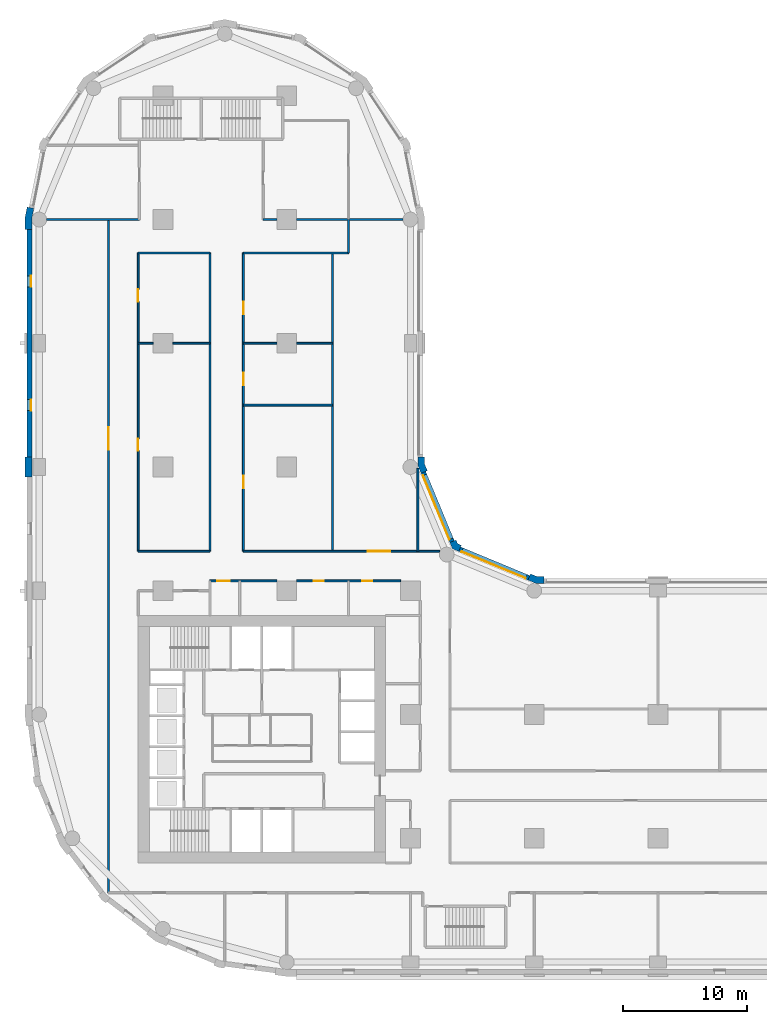
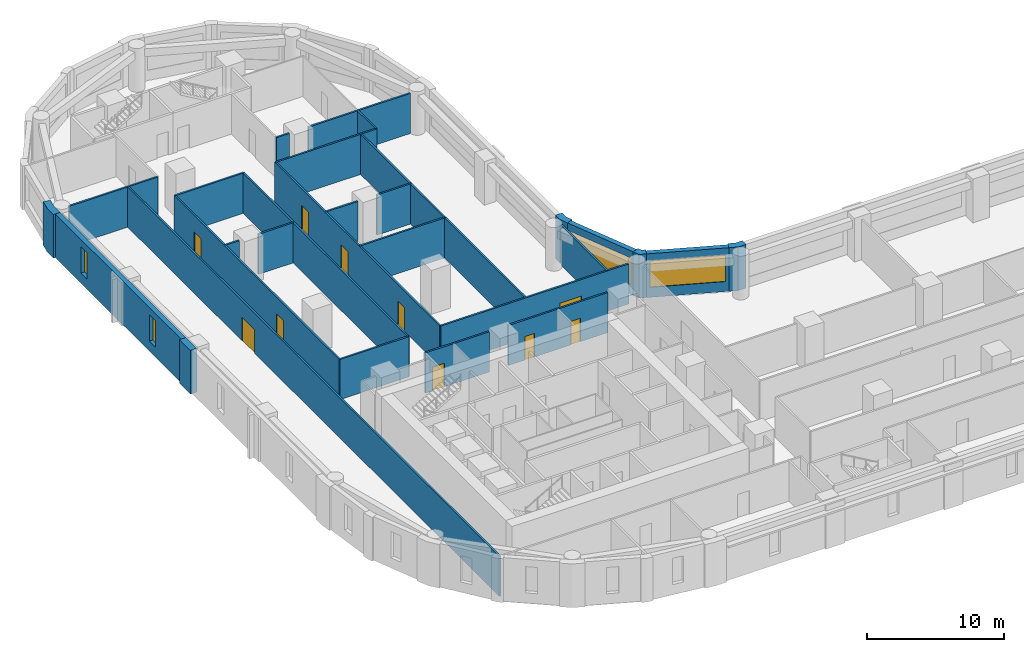
# One storey, part 5 of 10: 29 walls, 10 doors, 4 windows, 14 openings.
"""IFC4 building model written with IfcOpenShell, lengths in metres."""

from ifc_helpers import new_model, si_unit, direction, frame, frame_2d, origin, place, context, subcontext, project, spatial, polyline, rectangle, outline, extrude, material, layer, layer_set, type_object, element, fill, save


model = new_model("IFC4")

# Units and contexts
model_context = context("Model", 3, precision=1e-05, world=origin(), true_north=direction((0.0, 1.0)))
body_context = subcontext(model_context, "Body", "Model", "MODEL_VIEW")
ifc_project = project(units=[si_unit("LENGTHUNIT", "METRE"), si_unit("AREAUNIT", "SQUARE_METRE"), si_unit("VOLUMEUNIT", "CUBIC_METRE"), si_unit("PLANEANGLEUNIT", "RADIAN"), si_unit("MASSUNIT", "GRAM", prefix="KILO")], contexts=[model_context])

# Site, building, storey
site_placement = place(None, origin())
site = spatial("IfcSite", under=ifc_project, at=site_placement, CompositionType="ELEMENT")
building_placement = place(site_placement, origin())
building = spatial("IfcBuilding", under=site, at=building_placement, Name="Qaws Garden Tower", CompositionType="ELEMENT")
storey_placement = place(building_placement, frame((0.0, 0.0, 109.5)))
storey = spatial("IfcBuildingStorey", under=building, at=storey_placement, Name="L27", CompositionType="ELEMENT", Elevation=109.5)

# Wall, opening, window
ifc_material_1 = material(Name="Clay facing brick masonry", Category="masonry")
ifc_layer_1 = layer(ifc_material_1, 0.39990234375)
ifc_layer_set_1 = layer_set([ifc_layer_1], Name="Clay facing brick masonry")
wall_type_1 = type_object("IfcWallType", Name="Brick infill wall 400", PredefinedType="SOLIDWALL", material=ifc_layer_set_1)
wall_1_placement = place(storey_placement, frame((39.56689453125, 31.04541015625, 0.0), z_axis=(0.0, 0.0, 1.0), x_axis=(-0.923891000409, 0.382655745237, 0.0)))
wall_1 = element("IfcWall", 1, at=wall_1_placement, inside=storey, type_object=wall_type_1, Name="E-L27-infill-11", PredefinedType="SOLIDWALL", context=body_context, shape_type="SweptSolid", body=[
    extrude(rectangle(XDim=6.053466796875, YDim=0.39990234375, at=frame_2d((3.02685546875, 0.0))), origin(), (0.0, 0.0, 1.0), 3.89990234375),
])
opening_1_placement = place(wall_1_placement, frame((0.226806640625, 0.0, 0.89990234375)))
opening_1 = element("IfcOpeningElement", 2, at=opening_1_placement, cuts=wall_1, Name="Opening W04", PredefinedType="OPENING", context=body_context, shape_type="SweptSolid", body=[
    extrude(rectangle(XDim=5.60009765625, YDim=2.35009765625, at=frame_2d((2.800048828125, 1.175048828125))), frame((0.0, 0.2099609375, 0.0), z_axis=(0.0, -1.0, 0.0), x_axis=(1.0, 0.0, 0.0)), (0.0, 0.0, 1.0), 0.419921875),
])
ifc_material_2 = material(Name="Aluminium framed window, clear glazing", Category="aluminium")
window_type_1 = type_object("IfcWindowType", Name="Ribbon window 5600 x 2350", PartitioningType="DOUBLE_PANEL_VERTICAL", PredefinedType="WINDOW", material=ifc_material_2)
window_1_placement = place(opening_1_placement, origin())
window_1 = element("IfcWindow", 3, at=window_1_placement, inside=storey, type_object=window_type_1, Name="E-L27-window-11-0", OverallHeight=2.35009765625, OverallWidth=5.60009765625, PartitioningType="SINGLE_PANEL", PredefinedType="WINDOW", context=body_context, shape_type="SweptSolid", body=[
    extrude(rectangle(XDim=5.60009765625, YDim=2.35009765625, at=frame_2d((2.800048828125, 1.175048828125))), frame((0.0, 0.159912109375, 0.0), z_axis=(0.0, -1.0, 0.0), x_axis=(1.0, 0.0, 0.0)), (0.0, 0.0, 1.0), 0.06005859375),
])
fill(opening_1, window_1)

wall_2_placement = place(storey_placement, frame((33.36181640625, 33.97412109375, 0.0), z_axis=(0.0, 0.0, 1.0), x_axis=(-0.382655745237, 0.923891000409, 0.0)))
wall_2 = element("IfcWall", 4, at=wall_2_placement, inside=storey, type_object=wall_type_1, Name="E-L27-infill-12", PredefinedType="SOLIDWALL", context=body_context, shape_type="SweptSolid", body=[
    extrude(rectangle(XDim=6.053466796875, YDim=0.39990234375, at=frame_2d((3.02685546875, 0.0))), origin(), (0.0, 0.0, 1.0), 3.89990234375),
])
opening_2_placement = place(wall_2_placement, frame((0.226806640625, 0.0, 0.89990234375)))
opening_2 = element("IfcOpeningElement", 5, at=opening_2_placement, cuts=wall_2, Name="Opening W04", PredefinedType="OPENING", context=body_context, shape_type="SweptSolid", body=[
    extrude(rectangle(XDim=5.60009765625, YDim=2.35009765625, at=frame_2d((2.800048828125, 1.175048828125))), frame((0.0, 0.2099609375, 0.0), z_axis=(0.0, -1.0, 0.0), x_axis=(1.0, 0.0, 0.0)), (0.0, 0.0, 1.0), 0.419921875),
])
window_2_placement = place(opening_2_placement, origin())
window_2 = element("IfcWindow", 6, at=window_2_placement, inside=storey, type_object=window_type_1, Name="E-L27-window-12-0", OverallHeight=2.35009765625, OverallWidth=5.60009765625, PartitioningType="SINGLE_PANEL", PredefinedType="WINDOW", context=body_context, shape_type="SweptSolid", body=[
    extrude(rectangle(XDim=5.60009765625, YDim=2.35009765625, at=frame_2d((2.800048828125, 1.175048828125))), frame((0.0, 0.159912109375, 0.0), z_axis=(0.0, -1.0, 0.0), x_axis=(1.0, 0.0, 0.0)), (0.0, 0.0, 1.0), 0.06005859375),
])
fill(opening_2, window_2)

# Wall, openings, windows
wall_3_placement = place(storey_placement, frame((-0.800048828125, 59.199951171875, 0.0), z_axis=(0.0, 0.0, 1.0), x_axis=(0.0, -1.0, 0.0)))
wall_3 = element("IfcWall", 7, at=wall_3_placement, inside=storey, type_object=wall_type_1, Name="E-L27-infill-23", PredefinedType="SOLIDWALL", context=body_context, shape_type="SweptSolid", body=[
    extrude(rectangle(XDim=18.39990234375, YDim=0.39990234375, at=frame_2d((9.199951171875, 0.0))), origin(), (0.0, 0.0, 1.0), 3.89990234375),
])
opening_3_placement = place(wall_3_placement, frame((3.75, 0.0, 0.89990234375)))
opening_3 = element("IfcOpeningElement", 8, at=opening_3_placement, cuts=wall_3, Name="Opening W09", PredefinedType="OPENING", context=body_context, shape_type="SweptSolid", body=[
    extrude(rectangle(XDim=0.89990234375, YDim=2.35009765625, at=frame_2d((0.449951171875, 1.175048828125))), frame((0.0, 0.2099609375, 0.0), z_axis=(0.0, -1.0, 0.0), x_axis=(1.0, 0.0, 0.0)), (0.0, 0.0, 1.0), 0.419921875),
])
opening_4_placement = place(wall_3_placement, frame((13.75, 0.0, 0.89990234375)))
opening_4 = element("IfcOpeningElement", 9, at=opening_4_placement, cuts=wall_3, Name="Opening W09", PredefinedType="OPENING", context=body_context, shape_type="SweptSolid", body=[
    extrude(rectangle(XDim=0.89990234375, YDim=2.35009765625, at=frame_2d((0.449951171875, 1.175048828125))), frame((0.0, 0.2099609375, 0.0), z_axis=(0.0, -1.0, 0.0), x_axis=(1.0, 0.0, 0.0)), (0.0, 0.0, 1.0), 0.419921875),
])
ifc_material_3 = material(Name="Aluminium framed window, clear glazing", Category="aluminium")
window_type_2 = type_object("IfcWindowType", Name="Slit window 900 x 2350", PartitioningType="SINGLE_PANEL", PredefinedType="WINDOW", material=ifc_material_3)
window_3_placement = place(opening_3_placement, origin())
window_3 = element("IfcWindow", 10, at=window_3_placement, inside=storey, type_object=window_type_2, Name="E-L27-window-23-0", OverallHeight=2.35009765625, OverallWidth=0.89990234375, PartitioningType="SINGLE_PANEL", PredefinedType="WINDOW", context=body_context, shape_type="SweptSolid", body=[
    extrude(rectangle(XDim=0.89990234375, YDim=2.35009765625, at=frame_2d((0.449951171875, 1.175048828125))), frame((0.0, 0.159912109375, 0.0), z_axis=(0.0, -1.0, 0.0), x_axis=(1.0, 0.0, 0.0)), (0.0, 0.0, 1.0), 0.06005859375),
])
fill(opening_3, window_3)
window_4_placement = place(opening_4_placement, origin())
window_4 = element("IfcWindow", 11, at=window_4_placement, inside=storey, type_object=window_type_2, Name="E-L27-window-24-0", OverallHeight=2.35009765625, OverallWidth=0.89990234375, PartitioningType="SINGLE_PANEL", PredefinedType="WINDOW", context=body_context, shape_type="SweptSolid", body=[
    extrude(rectangle(XDim=0.89990234375, YDim=2.35009765625, at=frame_2d((0.449951171875, 1.175048828125))), frame((0.0, 0.159912109375, 0.0), z_axis=(0.0, -1.0, 0.0), x_axis=(1.0, 0.0, 0.0)), (0.0, 0.0, 1.0), 0.06005859375),
])
fill(opening_4, window_4)

# Walls
ifc_material_4 = material(Name="Clay facing brick masonry", Category="masonry")
ifc_layer_2 = layer(ifc_material_4, 0.550048828125)
ifc_layer_set_2 = layer_set([ifc_layer_2], Name="Clay facing brick masonry")
wall_type_2 = type_object("IfcWallType", Name="Brick pier 550 x 1600", PredefinedType="SOLIDWALL", material=ifc_layer_set_2)
placement = place(storey_placement, origin())
element("IfcWall", 12, at=placement, inside=storey, type_object=wall_type_2, Name="E-L27-pier-11", PredefinedType="SOLIDWALL", context=body_context, shape_type="SweptSolid", body=[
    extrude(outline(polyline([(40.800048828125, 31.0), (40.800048828125, 31.14990234375), (40.228759765625, 31.14990234375), (39.700927734375, 31.36865234375), (39.6435546875, 31.22998046875), (39.490478515625, 30.860595703125), (40.119384765625, 30.60009765625), (40.800048828125, 30.60009765625), (40.800048828125, 31.0)])), origin(), (0.0, 0.0, 1.0), 3.89990234375),
])
element("IfcWall", 13, at=placement, inside=storey, type_object=wall_type_2, Name="E-L27-pier-12", PredefinedType="SOLIDWALL", context=body_context, shape_type="SweptSolid", body=[
    extrude(outline(polyline([(34.05078125, 33.546630859375), (34.108154296875, 33.685302734375), (33.80908203125, 33.80908203125), (33.685302734375, 34.108154296875), (33.546630859375, 34.05078125), (33.177001953125, 33.897705078125), (33.38818359375, 33.38818359375), (33.897705078125, 33.177001953125), (34.05078125, 33.546630859375)])), origin(), (0.0, 0.0, 1.0), 3.89990234375),
])
element("IfcWall", 14, at=placement, inside=storey, type_object=wall_type_2, Name="E-L27-pier-13", PredefinedType="SOLIDWALL", context=body_context, shape_type="SweptSolid", body=[
    extrude(outline(polyline([(31.22998046875, 39.6435546875), (31.36865234375, 39.700927734375), (31.14990234375, 40.228759765625), (31.14990234375, 40.800048828125), (31.0, 40.800048828125), (30.60009765625, 40.800048828125), (30.60009765625, 40.119384765625), (30.860595703125, 39.490478515625), (31.22998046875, 39.6435546875)])), origin(), (0.0, 0.0, 1.0), 3.89990234375),
])
element("IfcWall", 15, at=placement, inside=storey, type_object=wall_type_2, Name="E-L27-pier-23", PredefinedType="SOLIDWALL", context=body_context, shape_type="SweptSolid", body=[
    extrude(outline(polyline([(-0.82470703125, 60.979736328125), (-0.971923828125, 61.009033203125), (-1.14990234375, 60.11328125), (-1.14990234375, 59.199951171875), (-1.0, 59.199951171875), (-0.60009765625, 59.199951171875), (-0.60009765625, 60.05908203125), (-0.432373046875, 60.901611328125), (-0.82470703125, 60.979736328125)])), origin(), (0.0, 0.0, 1.0), 3.89990234375),
])
element("IfcWall", 16, at=placement, inside=storey, type_object=wall_type_2, Name="E-L27-pier-25", PredefinedType="SOLIDWALL", context=body_context, shape_type="SweptSolid", body=[
    extrude(outline(polyline([(-1.0, 40.800048828125), (-1.14990234375, 40.800048828125), (-1.14990234375, 40.0), (-1.14990234375, 39.199951171875), (-1.0, 39.199951171875), (-0.60009765625, 39.199951171875), (-0.60009765625, 40.0), (-0.60009765625, 40.800048828125), (-1.0, 40.800048828125)])), origin(), (0.0, 0.0, 1.0), 3.89990234375),
])

# Wall, opening, door
ifc_material_5 = material(Name="Gypsum board partition")
ifc_layer_3 = layer(ifc_material_5, 0.14990234375)
ifc_layer_set_3 = layer_set([ifc_layer_3], Name="Gypsum board partition")
wall_type_3 = type_object("IfcWallType", Name="PARTITION 150 EI 60", PredefinedType="PARTITIONING", material=ifc_layer_set_3)
wall_9_placement = place(storey_placement, frame((5.60009765625, 5.60009765625, 0.0), z_axis=(0.0, 0.0, 1.0), x_axis=(0.0, 1.0, 0.0)))
wall_9 = element("IfcWall", 17, at=wall_9_placement, inside=storey, type_object=wall_type_3, Name="O-L27-wall-005", PredefinedType="PARTITIONING", context=body_context, shape_type="SweptSolid", body=[
    extrude(rectangle(XDim=54.39990234375, YDim=0.14990234375, at=frame_2d((27.199951171875, 0.0))), origin(), (0.0, 0.0, 1.0), 3.580078125),
])
opening_5_placement = place(wall_9_placement, frame((35.800048828125, 0.0, 0.0)))
opening_5 = element("IfcOpeningElement", 18, at=opening_5_placement, cuts=wall_9, Name="Opening A901", PredefinedType="OPENING", context=body_context, shape_type="SweptSolid", body=[
    extrude(rectangle(XDim=1.800048828125, YDim=2.10009765625, at=frame_2d((0.89990234375, 1.050048828125))), frame((0.0, 0.0849609375, 0.0), z_axis=(0.0, -1.0, 0.0), x_axis=(1.0, 0.0, 0.0)), (0.0, 0.0, 1.0), 0.169921875),
])
ifc_material_6 = material(Name="Timber door leaf", Category="wood")
door_type_1 = type_object("IfcDoorType", Name="DOUBLE DOOR 1800 X 2100", OperationType="DOUBLE_DOOR_SINGLE_SWING", PredefinedType="DOOR", material=ifc_material_6)
door_1_placement = place(opening_5_placement, origin())
door_1 = element("IfcDoor", 19, at=door_1_placement, inside=storey, type_object=door_type_1, Name="O-L27-door-001", OperationType="DOUBLE_DOOR_SINGLE_SWING", OverallHeight=2.10009765625, OverallWidth=1.800048828125, PredefinedType="DOOR", context=body_context, shape_type="SweptSolid", body=[
    extrude(rectangle(XDim=1.800048828125, YDim=2.10009765625, at=frame_2d((0.89990234375, 1.050048828125))), frame((0.0, 0.02490234375, 0.0), z_axis=(0.0, -1.0, 0.0), x_axis=(1.0, 0.0, 0.0)), (0.0, 0.0, 1.0), 0.050048828125),
])
fill(opening_5, door_1)

# Wall, openings, doors
wall_10_placement = place(storey_placement, frame((8.0, 33.199951171875, 0.0), z_axis=(0.0, 0.0, 1.0), x_axis=(0.0, 1.0, 0.0)))
wall_10 = element("IfcWall", 20, at=wall_10_placement, inside=storey, type_object=wall_type_3, Name="O-L27-wall-007", PredefinedType="PARTITIONING", context=body_context, shape_type="SweptSolid", body=[
    extrude(rectangle(XDim=24.10009765625, YDim=0.14990234375, at=frame_2d((12.050048828125, 0.0))), origin(), (0.0, 0.0, 1.0), 3.580078125),
])
opening_6_placement = place(wall_10_placement, frame((8.10009765625, 0.0, 0.0)))
opening_6 = element("IfcOpeningElement", 21, at=opening_6_placement, cuts=wall_10, Name="Opening A910", PredefinedType="OPENING", context=body_context, shape_type="SweptSolid", body=[
    extrude(rectangle(XDim=1.0, YDim=2.10009765625, at=frame_2d((0.5, 1.050048828125))), frame((0.0, 0.0849609375, 0.0), z_axis=(0.0, -1.0, 0.0), x_axis=(1.0, 0.0, 0.0)), (0.0, 0.0, 1.0), 0.169921875),
])
opening_7_placement = place(wall_10_placement, frame((20.14990234375, 0.0, 0.0)))
opening_7 = element("IfcOpeningElement", 22, at=opening_7_placement, cuts=wall_10, Name="Opening A911", PredefinedType="OPENING", context=body_context, shape_type="SweptSolid", body=[
    extrude(rectangle(XDim=1.0, YDim=2.10009765625, at=frame_2d((0.5, 1.050048828125))), frame((0.0, 0.0849609375, 0.0), z_axis=(0.0, -1.0, 0.0), x_axis=(1.0, 0.0, 0.0)), (0.0, 0.0, 1.0), 0.169921875),
])
ifc_material_7 = material(Name="Timber door leaf", Category="wood")
door_type_2 = type_object("IfcDoorType", Name="TENANCY ENTRANCE DOOR 1000 X 2100", OperationType="SINGLE_SWING_LEFT", PredefinedType="DOOR", material=ifc_material_7)
door_2_placement = place(opening_6_placement, frame((1.0, 0.0, 0.0), z_axis=(0.0, 0.0, 1.0), x_axis=(-1.0, 0.0, 0.0)))
door_2 = element("IfcDoor", 23, at=door_2_placement, inside=storey, type_object=door_type_2, Name="O-L27-door-010", OperationType="SINGLE_SWING_RIGHT", OverallHeight=2.10009765625, OverallWidth=1.0, PredefinedType="DOOR", context=body_context, shape_type="SweptSolid", body=[
    extrude(rectangle(XDim=1.0, YDim=2.10009765625, at=frame_2d((0.5, 1.050048828125))), frame((0.0, 0.02490234375, 0.0), z_axis=(0.0, -1.0, 0.0), x_axis=(1.0, 0.0, 0.0)), (0.0, 0.0, 1.0), 0.050048828125),
])
fill(opening_6, door_2)
door_3_placement = place(opening_7_placement, frame((1.0, 0.0, 0.0), z_axis=(0.0, 0.0, 1.0), x_axis=(-1.0, 0.0, 0.0)))
door_3 = element("IfcDoor", 24, at=door_3_placement, inside=storey, type_object=door_type_2, Name="O-L27-door-011", OperationType="SINGLE_SWING_RIGHT", OverallHeight=2.10009765625, OverallWidth=1.0, PredefinedType="DOOR", context=body_context, shape_type="SweptSolid", body=[
    extrude(rectangle(XDim=1.0, YDim=2.10009765625, at=frame_2d((0.5, 1.050048828125))), frame((0.0, 0.02490234375, 0.0), z_axis=(0.0, -1.0, 0.0), x_axis=(1.0, 0.0, 0.0)), (0.0, 0.0, 1.0), 0.050048828125),
])
fill(opening_7, door_3)

# Wall
wall_11_placement = place(storey_placement, frame((13.800048828125, 33.199951171875, 0.0), z_axis=(0.0, 0.0, 1.0), x_axis=(0.0, 1.0, 0.0)))
element("IfcWall", 25, at=wall_11_placement, inside=storey, type_object=wall_type_3, Name="O-L27-wall-010", PredefinedType="PARTITIONING", context=body_context, shape_type="SweptSolid", body=[
    extrude(rectangle(XDim=24.10009765625, YDim=0.14990234375, at=frame_2d((12.050048828125, 0.0))), origin(), (0.0, 0.0, 1.0), 3.580078125),
])

# Wall, openings, doors
wall_12_placement = place(storey_placement, frame((16.5, 33.199951171875, 0.0), z_axis=(0.0, 0.0, 1.0), x_axis=(0.0, 1.0, 0.0)))
wall_12 = element("IfcWall", 26, at=wall_12_placement, inside=storey, type_object=wall_type_3, Name="O-L27-wall-013", PredefinedType="PARTITIONING", context=body_context, shape_type="SweptSolid", body=[
    extrude(rectangle(XDim=24.10009765625, YDim=0.14990234375, at=frame_2d((12.050048828125, 0.0))), origin(), (0.0, 0.0, 1.0), 3.580078125),
])
opening_8_placement = place(wall_12_placement, frame((5.10009765625, 0.0, 0.0)))
opening_8 = element("IfcOpeningElement", 27, at=opening_8_placement, cuts=wall_12, Name="Opening A913", PredefinedType="OPENING", context=body_context, shape_type="SweptSolid", body=[
    extrude(rectangle(XDim=1.0, YDim=2.10009765625, at=frame_2d((0.5, 1.050048828125))), frame((0.0, 0.0849609375, 0.0), z_axis=(0.0, -1.0, 0.0), x_axis=(1.0, 0.0, 0.0)), (0.0, 0.0, 1.0), 0.169921875),
])
opening_9_placement = place(wall_12_placement, frame((13.39990234375, 0.0, 0.0)))
opening_9 = element("IfcOpeningElement", 28, at=opening_9_placement, cuts=wall_12, Name="Opening A914", PredefinedType="OPENING", context=body_context, shape_type="SweptSolid", body=[
    extrude(rectangle(XDim=1.0, YDim=2.10009765625, at=frame_2d((0.5, 1.050048828125))), frame((0.0, 0.0849609375, 0.0), z_axis=(0.0, -1.0, 0.0), x_axis=(1.0, 0.0, 0.0)), (0.0, 0.0, 1.0), 0.169921875),
])
opening_10_placement = place(wall_12_placement, frame((19.14990234375, 0.0, 0.0)))
opening_10 = element("IfcOpeningElement", 29, at=opening_10_placement, cuts=wall_12, Name="Opening A915", PredefinedType="OPENING", context=body_context, shape_type="SweptSolid", body=[
    extrude(rectangle(XDim=1.0, YDim=2.10009765625, at=frame_2d((0.5, 1.050048828125))), frame((0.0, 0.0849609375, 0.0), z_axis=(0.0, -1.0, 0.0), x_axis=(1.0, 0.0, 0.0)), (0.0, 0.0, 1.0), 0.169921875),
])
door_4_placement = place(opening_8_placement, frame((1.0, 0.0, 0.0), z_axis=(0.0, 0.0, 1.0), x_axis=(-1.0, 0.0, 0.0)))
door_4 = element("IfcDoor", 30, at=door_4_placement, inside=storey, type_object=door_type_2, Name="O-L27-door-013", OperationType="SINGLE_SWING_RIGHT", OverallHeight=2.10009765625, OverallWidth=1.0, PredefinedType="DOOR", context=body_context, shape_type="SweptSolid", body=[
    extrude(rectangle(XDim=1.0, YDim=2.10009765625, at=frame_2d((0.5, 1.050048828125))), frame((0.0, 0.02490234375, 0.0), z_axis=(0.0, -1.0, 0.0), x_axis=(1.0, 0.0, 0.0)), (0.0, 0.0, 1.0), 0.050048828125),
])
fill(opening_8, door_4)
door_5_placement = place(opening_9_placement, frame((1.0, 0.0, 0.0), z_axis=(0.0, 0.0, 1.0), x_axis=(-1.0, 0.0, 0.0)))
door_5 = element("IfcDoor", 31, at=door_5_placement, inside=storey, type_object=door_type_2, Name="O-L27-door-014", OperationType="SINGLE_SWING_RIGHT", OverallHeight=2.10009765625, OverallWidth=1.0, PredefinedType="DOOR", context=body_context, shape_type="SweptSolid", body=[
    extrude(rectangle(XDim=1.0, YDim=2.10009765625, at=frame_2d((0.5, 1.050048828125))), frame((0.0, 0.02490234375, 0.0), z_axis=(0.0, -1.0, 0.0), x_axis=(1.0, 0.0, 0.0)), (0.0, 0.0, 1.0), 0.050048828125),
])
fill(opening_9, door_5)
door_6_placement = place(opening_10_placement, frame((1.0, 0.0, 0.0), z_axis=(0.0, 0.0, 1.0), x_axis=(-1.0, 0.0, 0.0)))
door_6 = element("IfcDoor", 32, at=door_6_placement, inside=storey, type_object=door_type_2, Name="O-L27-door-015", OperationType="SINGLE_SWING_RIGHT", OverallHeight=2.10009765625, OverallWidth=1.0, PredefinedType="DOOR", context=body_context, shape_type="SweptSolid", body=[
    extrude(rectangle(XDim=1.0, YDim=2.10009765625, at=frame_2d((0.5, 1.050048828125))), frame((0.0, 0.02490234375, 0.0), z_axis=(0.0, -1.0, 0.0), x_axis=(1.0, 0.0, 0.0)), (0.0, 0.0, 1.0), 0.050048828125),
])
fill(opening_10, door_6)

# Walls
wall_13_placement = place(storey_placement, frame((23.699951171875, 33.199951171875, 0.0), z_axis=(0.0, 0.0, 1.0), x_axis=(0.0, 1.0, 0.0)))
element("IfcWall", 33, at=wall_13_placement, inside=storey, type_object=wall_type_3, Name="O-L27-wall-016", PredefinedType="PARTITIONING", context=body_context, shape_type="SweptSolid", body=[
    extrude(rectangle(XDim=24.10009765625, YDim=0.14990234375, at=frame_2d((12.050048828125, 0.0))), origin(), (0.0, 0.0, 1.0), 3.580078125),
])
wall_14_placement = place(storey_placement, frame((25.0, 57.300048828125, 0.0), z_axis=(0.0, 0.0, 1.0), x_axis=(0.0, 1.0, 0.0)))
element("IfcWall", 34, at=wall_14_placement, inside=storey, type_object=wall_type_3, Name="O-L27-wall-018", PredefinedType="PARTITIONING", context=body_context, shape_type="SweptSolid", body=[
    extrude(rectangle(XDim=2.699951171875, YDim=0.14990234375, at=frame_2d((1.35009765625, 0.0))), origin(), (0.0, 0.0, 1.0), 3.580078125),
])
wall_15_placement = place(storey_placement, frame((30.60009765625, 33.199951171875, 0.0), z_axis=(0.0, 0.0, 1.0), x_axis=(0.0, 1.0, 0.0)))
element("IfcWall", 35, at=wall_15_placement, inside=storey, type_object=wall_type_3, Name="O-L27-wall-022", PredefinedType="PARTITIONING", context=body_context, shape_type="SweptSolid", body=[
    extrude(rectangle(XDim=6.698974609375, YDim=0.14990234375, at=frame_2d((3.349609375, 0.0))), origin(), (0.0, 0.0, 1.0), 3.580078125),
])

# Wall, opening, door
wall_16_placement = place(storey_placement, frame((13.800048828125, 30.800048828125, 0.0), z_axis=(0.0, 0.0, 1.0), x_axis=(1.0, 0.0, 0.0)))
wall_16 = element("IfcWall", 36, at=wall_16_placement, inside=storey, type_object=wall_type_3, Name="O-L27-wall-051", PredefinedType="PARTITIONING", context=body_context, shape_type="SweptSolid", body=[
    extrude(rectangle(XDim=5.39990234375, YDim=0.14990234375, at=frame_2d((2.699951171875, 0.0))), origin(), (0.0, 0.0, 1.0), 3.580078125),
])
opening_11_placement = place(wall_16_placement, frame((0.60009765625, 0.0, 0.0)))
opening_11 = element("IfcOpeningElement", 37, at=opening_11_placement, cuts=wall_16, Name="Opening A919", PredefinedType="OPENING", context=body_context, shape_type="SweptSolid", body=[
    extrude(rectangle(XDim=1.0, YDim=2.10009765625, at=frame_2d((0.5, 1.050048828125))), frame((0.0, 0.0849609375, 0.0), z_axis=(0.0, -1.0, 0.0), x_axis=(1.0, 0.0, 0.0)), (0.0, 0.0, 1.0), 0.169921875),
])
door_7_placement = place(opening_11_placement, frame((1.0, 0.0, 0.0), z_axis=(0.0, 0.0, 1.0), x_axis=(-1.0, 0.0, 0.0)))
door_7 = element("IfcDoor", 38, at=door_7_placement, inside=storey, type_object=door_type_2, Name="O-L27-door-019", OperationType="SINGLE_SWING_RIGHT", OverallHeight=2.10009765625, OverallWidth=1.0, PredefinedType="DOOR", context=body_context, shape_type="SweptSolid", body=[
    extrude(rectangle(XDim=1.0, YDim=2.10009765625, at=frame_2d((0.5, 1.050048828125))), frame((0.0, 0.02490234375, 0.0), z_axis=(0.0, -1.0, 0.0), x_axis=(1.0, 0.0, 0.0)), (0.0, 0.0, 1.0), 0.050048828125),
])
fill(opening_11, door_7)

# Wall, openings, doors
wall_17_placement = place(storey_placement, frame((20.800048828125, 30.800048828125, 0.0), z_axis=(0.0, 0.0, 1.0), x_axis=(1.0, 0.0, 0.0)))
wall_17 = element("IfcWall", 39, at=wall_17_placement, inside=storey, type_object=wall_type_3, Name="O-L27-wall-052", PredefinedType="PARTITIONING", context=body_context, shape_type="SweptSolid", body=[
    extrude(rectangle(XDim=8.39990234375, YDim=0.14990234375, at=frame_2d((4.199951171875, 0.0))), origin(), (0.0, 0.0, 1.0), 3.580078125),
])
opening_12_placement = place(wall_17_placement, frame((1.39990234375, 0.0, 0.0)))
opening_12 = element("IfcOpeningElement", 40, at=opening_12_placement, cuts=wall_17, Name="Opening A908", PredefinedType="OPENING", context=body_context, shape_type="SweptSolid", body=[
    extrude(rectangle(XDim=0.800048828125, YDim=2.10009765625, at=frame_2d((0.39990234375, 1.050048828125))), frame((0.0, 0.0849609375, 0.0), z_axis=(0.0, -1.0, 0.0), x_axis=(1.0, 0.0, 0.0)), (0.0, 0.0, 1.0), 0.169921875),
])
opening_13_placement = place(wall_17_placement, frame((5.300048828125, 0.0, 0.0)))
opening_13 = element("IfcOpeningElement", 41, at=opening_13_placement, cuts=wall_17, Name="Opening A909", PredefinedType="OPENING", context=body_context, shape_type="SweptSolid", body=[
    extrude(rectangle(XDim=0.800048828125, YDim=2.10009765625, at=frame_2d((0.39990234375, 1.050048828125))), frame((0.0, 0.0849609375, 0.0), z_axis=(0.0, -1.0, 0.0), x_axis=(1.0, 0.0, 0.0)), (0.0, 0.0, 1.0), 0.169921875),
])
ifc_material_8 = material(Name="Timber door leaf", Category="wood")
door_type_3 = type_object("IfcDoorType", Name="STORE DOOR 800 X 2100", OperationType="SINGLE_SWING_LEFT", PredefinedType="DOOR", material=ifc_material_8)
door_8_placement = place(opening_12_placement, frame((0.800048828125, 0.0, 0.0), z_axis=(0.0, 0.0, 1.0), x_axis=(-1.0, 0.0, 0.0)))
door_8 = element("IfcDoor", 42, at=door_8_placement, inside=storey, type_object=door_type_3, Name="O-L27-door-008", OperationType="SINGLE_SWING_RIGHT", OverallHeight=2.10009765625, OverallWidth=0.800048828125, PredefinedType="DOOR", context=body_context, shape_type="SweptSolid", body=[
    extrude(rectangle(XDim=0.800048828125, YDim=2.10009765625, at=frame_2d((0.39990234375, 1.050048828125))), frame((0.0, 0.02490234375, 0.0), z_axis=(0.0, -1.0, 0.0), x_axis=(1.0, 0.0, 0.0)), (0.0, 0.0, 1.0), 0.050048828125),
])
fill(opening_12, door_8)
door_9_placement = place(opening_13_placement, frame((0.800048828125, 0.0, 0.0), z_axis=(0.0, 0.0, 1.0), x_axis=(-1.0, 0.0, 0.0)))
door_9 = element("IfcDoor", 43, at=door_9_placement, inside=storey, type_object=door_type_3, Name="O-L27-door-009", OperationType="SINGLE_SWING_RIGHT", OverallHeight=2.10009765625, OverallWidth=0.800048828125, PredefinedType="DOOR", context=body_context, shape_type="SweptSolid", body=[
    extrude(rectangle(XDim=0.800048828125, YDim=2.10009765625, at=frame_2d((0.39990234375, 1.050048828125))), frame((0.0, 0.02490234375, 0.0), z_axis=(0.0, -1.0, 0.0), x_axis=(1.0, 0.0, 0.0)), (0.0, 0.0, 1.0), 0.050048828125),
])
fill(opening_13, door_9)

# Wall
wall_18_placement = place(storey_placement, frame((8.0, 33.199951171875, 0.0), z_axis=(0.0, 0.0, 1.0), x_axis=(1.0, 0.0, 0.0)))
element("IfcWall", 44, at=wall_18_placement, inside=storey, type_object=wall_type_3, Name="O-L27-wall-053", PredefinedType="PARTITIONING", context=body_context, shape_type="SweptSolid", body=[
    extrude(rectangle(XDim=5.800048828125, YDim=0.14990234375, at=frame_2d((2.89990234375, 0.0))), origin(), (0.0, 0.0, 1.0), 3.580078125),
])

# Wall, opening, door
wall_19_placement = place(storey_placement, frame((16.5, 33.199951171875, 0.0), z_axis=(0.0, 0.0, 1.0), x_axis=(1.0, 0.0, 0.0)))
wall_19 = element("IfcWall", 45, at=wall_19_placement, inside=storey, type_object=wall_type_3, Name="O-L27-wall-054", PredefinedType="PARTITIONING", context=body_context, shape_type="SweptSolid", body=[
    extrude(rectangle(XDim=15.862060546875, YDim=0.14990234375, at=frame_2d((7.93115234375, 0.0))), origin(), (0.0, 0.0, 1.0), 3.580078125),
])
opening_14_placement = place(wall_19_placement, frame((10.050048828125, 0.0, 0.0)))
opening_14 = element("IfcOpeningElement", 46, at=opening_14_placement, cuts=wall_19, Name="Opening A916", PredefinedType="OPENING", context=body_context, shape_type="SweptSolid", body=[
    extrude(rectangle(XDim=1.800048828125, YDim=2.10009765625, at=frame_2d((0.89990234375, 1.050048828125))), frame((0.0, 0.0849609375, 0.0), z_axis=(0.0, -1.0, 0.0), x_axis=(1.0, 0.0, 0.0)), (0.0, 0.0, 1.0), 0.169921875),
])
door_10_placement = place(opening_14_placement, origin())
door_10 = element("IfcDoor", 47, at=door_10_placement, inside=storey, type_object=door_type_1, Name="O-L27-door-016", OperationType="DOUBLE_DOOR_SINGLE_SWING", OverallHeight=2.10009765625, OverallWidth=1.800048828125, PredefinedType="DOOR", context=body_context, shape_type="SweptSolid", body=[
    extrude(rectangle(XDim=1.800048828125, YDim=2.10009765625, at=frame_2d((0.89990234375, 1.050048828125))), frame((0.0, 0.02490234375, 0.0), z_axis=(0.0, -1.0, 0.0), x_axis=(1.0, 0.0, 0.0)), (0.0, 0.0, 1.0), 0.050048828125),
])
fill(opening_14, door_10)

# Walls
wall_20_placement = place(storey_placement, frame((16.5, 45.0, 0.0), z_axis=(0.0, 0.0, 1.0), x_axis=(1.0, 0.0, 0.0)))
element("IfcWall", 48, at=wall_20_placement, inside=storey, type_object=wall_type_3, Name="O-L27-wall-055", PredefinedType="PARTITIONING", context=body_context, shape_type="SweptSolid", body=[
    extrude(rectangle(XDim=7.199951171875, YDim=0.14990234375, at=frame_2d((3.60009765625, 0.0))), origin(), (0.0, 0.0, 1.0), 3.580078125),
])
wall_21_placement = place(storey_placement, frame((8.0, 50.0, 0.0), z_axis=(0.0, 0.0, 1.0), x_axis=(1.0, 0.0, 0.0)))
element("IfcWall", 49, at=wall_21_placement, inside=storey, type_object=wall_type_3, Name="O-L27-wall-056", PredefinedType="PARTITIONING", context=body_context, shape_type="SweptSolid", body=[
    extrude(rectangle(XDim=1.199951171875, YDim=0.14990234375, at=frame_2d((0.60009765625, 0.0))), origin(), (0.0, 0.0, 1.0), 3.580078125),
])
wall_22_placement = place(storey_placement, frame((10.800048828125, 50.0, 0.0), z_axis=(0.0, 0.0, 1.0), x_axis=(1.0, 0.0, 0.0)))
element("IfcWall", 50, at=wall_22_placement, inside=storey, type_object=wall_type_3, Name="O-L27-wall-057", PredefinedType="PARTITIONING", context=body_context, shape_type="SweptSolid", body=[
    extrude(rectangle(XDim=3.0, YDim=0.14990234375, at=frame_2d((1.5, 0.0))), origin(), (0.0, 0.0, 1.0), 3.580078125),
])
wall_23_placement = place(storey_placement, frame((16.5, 50.0, 0.0), z_axis=(0.0, 0.0, 1.0), x_axis=(1.0, 0.0, 0.0)))
element("IfcWall", 51, at=wall_23_placement, inside=storey, type_object=wall_type_3, Name="O-L27-wall-058", PredefinedType="PARTITIONING", context=body_context, shape_type="SweptSolid", body=[
    extrude(rectangle(XDim=2.699951171875, YDim=0.14990234375, at=frame_2d((1.35009765625, 0.0))), origin(), (0.0, 0.0, 1.0), 3.580078125),
])
wall_24_placement = place(storey_placement, frame((20.800048828125, 50.0, 0.0), z_axis=(0.0, 0.0, 1.0), x_axis=(1.0, 0.0, 0.0)))
element("IfcWall", 52, at=wall_24_placement, inside=storey, type_object=wall_type_3, Name="O-L27-wall-059", PredefinedType="PARTITIONING", context=body_context, shape_type="SweptSolid", body=[
    extrude(rectangle(XDim=2.89990234375, YDim=0.14990234375, at=frame_2d((1.449951171875, 0.0))), origin(), (0.0, 0.0, 1.0), 3.580078125),
])
wall_25_placement = place(storey_placement, frame((8.0, 57.300048828125, 0.0), z_axis=(0.0, 0.0, 1.0), x_axis=(1.0, 0.0, 0.0)))
element("IfcWall", 53, at=wall_25_placement, inside=storey, type_object=wall_type_3, Name="O-L27-wall-060", PredefinedType="PARTITIONING", context=body_context, shape_type="SweptSolid", body=[
    extrude(rectangle(XDim=5.800048828125, YDim=0.14990234375, at=frame_2d((2.89990234375, 0.0))), origin(), (0.0, 0.0, 1.0), 3.580078125),
])
wall_26_placement = place(storey_placement, frame((16.5, 57.300048828125, 0.0), z_axis=(0.0, 0.0, 1.0), x_axis=(1.0, 0.0, 0.0)))
element("IfcWall", 54, at=wall_26_placement, inside=storey, type_object=wall_type_3, Name="O-L27-wall-061", PredefinedType="PARTITIONING", context=body_context, shape_type="SweptSolid", body=[
    extrude(rectangle(XDim=8.5, YDim=0.14990234375, at=frame_2d((4.25, 0.0))), origin(), (0.0, 0.0, 1.0), 3.580078125),
])
wall_27_placement = place(storey_placement, frame((0.60009765625, 60.0, 0.0), z_axis=(0.0, 0.0, 1.0), x_axis=(1.0, 0.0, 0.0)))
element("IfcWall", 55, at=wall_27_placement, inside=storey, type_object=wall_type_3, Name="O-L27-wall-062", PredefinedType="PARTITIONING", context=body_context, shape_type="SweptSolid", body=[
    extrude(rectangle(XDim=7.5, YDim=0.14990234375, at=frame_2d((3.75, 0.0))), origin(), (0.0, 0.0, 1.0), 3.580078125),
])
wall_28_placement = place(storey_placement, frame((18.10009765625, 60.0, 0.0), z_axis=(0.0, 0.0, 1.0), x_axis=(1.0, 0.0, 0.0)))
element("IfcWall", 56, at=wall_28_placement, inside=storey, type_object=wall_type_3, Name="O-L27-wall-063", PredefinedType="PARTITIONING", context=body_context, shape_type="SweptSolid", body=[
    extrude(rectangle(XDim=1.099853515625, YDim=0.14990234375, at=frame_2d((0.5498046875, 0.0))), origin(), (0.0, 0.0, 1.0), 3.580078125),
])
wall_29_placement = place(storey_placement, frame((20.800048828125, 60.0, 0.0), z_axis=(0.0, 0.0, 1.0), x_axis=(1.0, 0.0, 0.0)))
element("IfcWall", 57, at=wall_29_placement, inside=storey, type_object=wall_type_3, Name="O-L27-wall-064", PredefinedType="PARTITIONING", context=body_context, shape_type="SweptSolid", body=[
    extrude(rectangle(XDim=8.599853515625, YDim=0.14990234375, at=frame_2d((4.2998046875, 0.0))), origin(), (0.0, 0.0, 1.0), 3.580078125),
])

save(model, "model.ifc")
